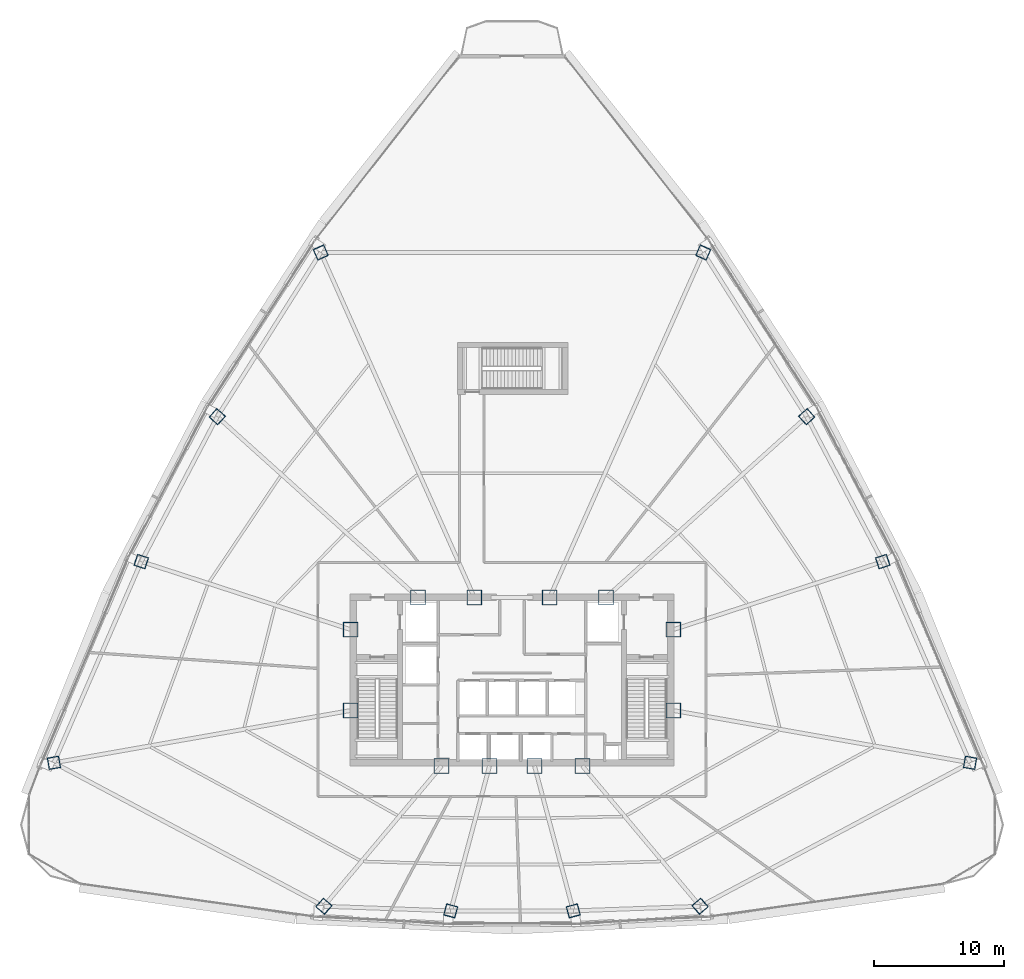
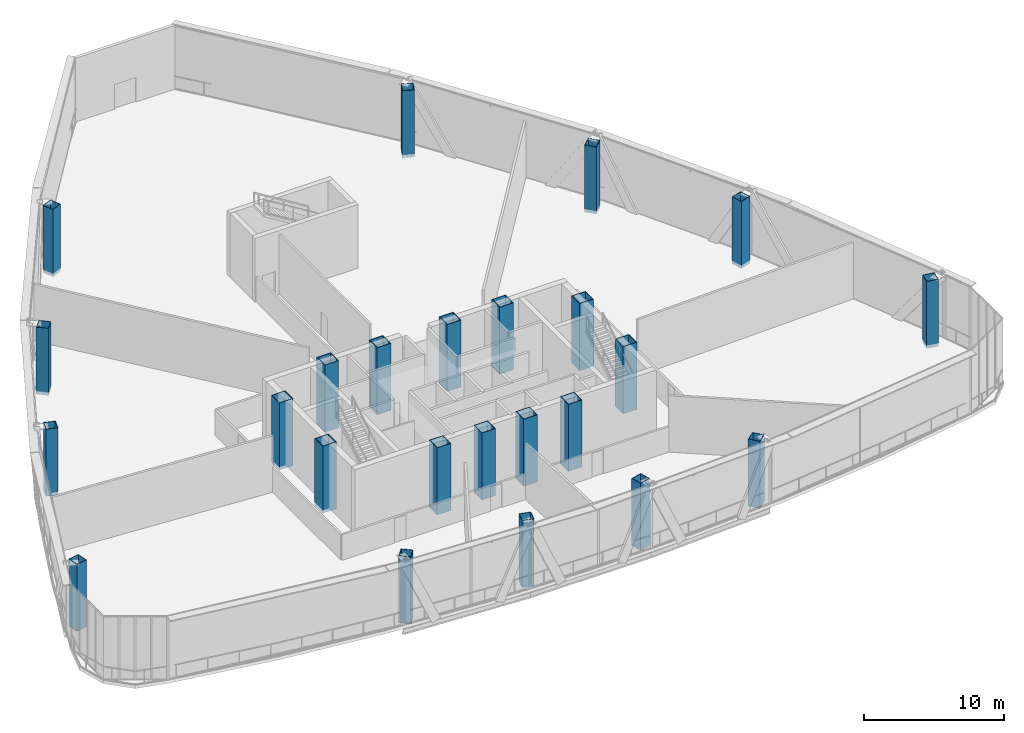
# One storey, part 1 of 38: 24 columns.
"""IFC4 building model written with IfcOpenShell, lengths in metres."""

from ifc_helpers import new_model, si_unit, direction, frame, origin, origin_2d, place, context, subcontext, project, spatial, hollow_rectangle, extrude, source, transform, mapped, material, material_profile, profile_set, type_object, element, save


model = new_model("IFC4")

# Units and contexts
model_context = context("Model", 3, precision=1e-05, world=origin(), true_north=direction((0.0, 1.0)))
body_context = subcontext(model_context, "Body", "Model", "MODEL_VIEW")
ifc_project = project(units=[si_unit("LENGTHUNIT", "METRE"), si_unit("AREAUNIT", "SQUARE_METRE"), si_unit("VOLUMEUNIT", "CUBIC_METRE"), si_unit("PLANEANGLEUNIT", "RADIAN"), si_unit("MASSUNIT", "GRAM", prefix="KILO"), si_unit("THERMODYNAMICTEMPERATUREUNIT", "KELVIN"), si_unit("POWERUNIT", "WATT")], contexts=[model_context])

# Site, building, storey
site_placement = place(None, origin())
site = spatial("IfcSite", under=ifc_project, at=site_placement, CompositionType="ELEMENT")
building_placement = place(site_placement, origin())
building = spatial("IfcBuilding", under=site, at=building_placement, Name="Yunzhuo Pagoda Commons", CompositionType="ELEMENT")
storey_placement = place(building_placement, frame((0.0, 0.0, 218.9599609375)))
storey = spatial("IfcBuildingStorey", under=building, at=storey_placement, Name="L55", CompositionType="ELEMENT", Elevation=218.9599609375)

# Columns
ifc_material = material(Name="Structural steel Q420B", Category="steel")
ifc_material_profile_1 = material_profile(ifc_material, hollow_rectangle(XDim=1.14990234375, YDim=1.14990234375, WallThickness=0.048095703125, at=origin_2d()), Name="Structural steel Q420B")
ifc_profile_set_1 = profile_set([ifc_material_profile_1], Name="Structural steel Q420B")
column_type_1 = type_object("IfcColumnType", Name="C-COR Column BOX 1150x1150x48", PredefinedType="COLUMN", material=ifc_profile_set_1)
shared_shape_1 = source(origin(), body_context, "Body", "SweptSolid", [
    extrude(hollow_rectangle(XDim=1.14990234375, YDim=1.14990234375, WallThickness=0.048095703125, at=origin_2d()), origin(), (0.0, 0.0, 1.0), 5.85009765625),
])
for number, where, z_axis, x_axis, name in (
    (1, (42.587890625, 27.25, -0.280029296875), (0.0, 0.0, 1.0), (1.0, 0.0, 0.0), "L55 core composite column F1C1"),
    (2, (46.27197265625, 27.25, -0.280029296875), (0.0, 0.0, 1.0), (1.0, 0.0, 0.0), "L55 core composite column F1C2"),
    (3, (49.728515625, 27.25, -0.280029296875), (0.0, 0.0, 1.0), (1.0, 0.0, 0.0), "L55 core composite column F1C3"),
    (4, (53.412109375, 27.25, -0.280029296875), (0.0, 0.0, 1.0), (1.0, 0.0, 0.0), "L55 core composite column F1C4"),
    (5, (60.39990234375, 31.513427734375, -0.280029296875), (0.0, 0.0, 1.0), (1.0, 0.0, 0.0), "L55 core composite column F2C1"),
    (6, (60.39990234375, 37.72900390625, -0.280029296875), (0.0, 0.0, 1.0), (1.0, 0.0, 0.0), "L55 core composite column F2C2"),
    (7, (55.218994140625, 40.199951171875, -0.280029296875), (0.0, 0.0, 1.0), (1.0, 0.0, 0.0), "L55 core composite column F2C3"),
    (8, (50.89404296875, 40.199951171875, -0.280029296875), (0.0, 0.0, 1.0), (1.0, 0.0, 0.0), "L55 core composite column F2C4"),
    (9, (45.10595703125, 40.199951171875, -0.280029296875), (0.0, 0.0, 1.0), (1.0, 0.0, 0.0), "L55 core composite column F3C1"),
    (10, (40.781005859375, 40.199951171875, -0.280029296875), (0.0, 0.0, 1.0), (1.0, 0.0, 0.0), "L55 core composite column F3C2"),
    (11, (35.60009765625, 37.72900390625, -0.280029296875), (0.0, 0.0, 1.0), (1.0, 0.0, 0.0), "L55 core composite column F3C3"),
    (12, (35.60009765625, 31.513427734375, -0.280029296875), (0.0, 0.0, 1.0), (1.0, 0.0, 0.0), "L55 core composite column F3C4"),
):
    element("IfcColumn", number, at=place(storey_placement, frame(where, z_axis=z_axis, x_axis=x_axis)), inside=storey, type_object=column_type_1, Name=name, PredefinedType="COLUMN", context=body_context, shape_type="MappedRepresentation", body=[
        mapped(shared_shape_1, transform((0.0, 0.0, 0.0), scale=1.0)),
    ])
ifc_material_profile_2 = material_profile(ifc_material, hollow_rectangle(XDim=0.89990234375, YDim=0.89990234375, WallThickness=0.035888671875, at=origin_2d()), Name="Structural steel Q420B")
ifc_profile_set_2 = profile_set([ifc_material_profile_2], Name="Structural steel Q420B")
column_type_2 = type_object("IfcColumnType", Name="C-Z4 Column BOX 900x900x36", PredefinedType="COLUMN", material=ifc_profile_set_2)
shared_shape_2 = source(origin(), body_context, "Body", "SweptSolid", [
    extrude(hollow_rectangle(XDim=0.89990234375, YDim=0.89990234375, WallThickness=0.035888671875, at=origin_2d()), origin(), (0.0, 0.0, 1.0), 5.85009765625),
])
for number, where, z_axis, x_axis, name in (
    (13, (33.538818359375, 16.4658203125, -0.280029296875), (0.0, 0.0, 1.0), (0.766044443119, -0.642787609687, 0.0), "L55 tower column F1C1"),
    (14, (43.28759765625, 16.1123046875, -0.280029296875), (0.0, 0.0, 1.0), (0.965925826289, -0.258819045103, 0.0), "L55 tower column F1C2"),
    (15, (52.712890625, 16.1123046875, -0.280029296875), (0.0, 0.0, 1.0), (0.965925826289, 0.258819045103, 0.0), "L55 tower column F1C3"),
    (16, (62.461181640625, 16.4658203125, -0.280029296875), (0.0, 0.0, 1.0), (0.766044443119, 0.642787609687, 0.0), "L55 tower column F1C4"),
    (17, (83.20654296875, 27.492431640625, -0.280029296875), (0.0, 0.0, 1.0), (0.173648177667, 0.984807753012, 0.0), "L55 tower column F2C1"),
    (18, (76.49462890625, 42.95849609375, -0.280029296875), (0.0, 0.0, 1.0), (-0.309016994375, 0.951056516295, 0.0), "L55 tower column F2C2"),
    (19, (70.650634765625, 54.0947265625, -0.280029296875), (0.0, 0.0, 1.0), (-0.669130606359, 0.743144825477, 0.0), "L55 tower column F2C3"),
    (20, (62.698974609375, 66.714599609375, -0.280029296875), (0.0, 0.0, 1.0), (-0.913545457643, 0.406736643076, 0.0), "L55 tower column F2C4"),
    (21, (33.301025390625, 66.714599609375, -0.280029296875), (0.0, 0.0, 1.0), (-0.913545457643, -0.406736643076, 0.0), "L55 tower column F3C1"),
    (22, (25.349365234375, 54.0947265625, -0.280029296875), (0.0, 0.0, 1.0), (-0.669130606359, -0.743144825477, 0.0), "L55 tower column F3C2"),
    (23, (19.50537109375, 42.95849609375, -0.280029296875), (0.0, 0.0, 1.0), (-0.309016994375, -0.951056516295, 0.0), "L55 tower column F3C3"),
    (24, (12.79345703125, 27.492431640625, -0.280029296875), (0.0, 0.0, 1.0), (0.173648177667, -0.984807753012, 0.0), "L55 tower column F3C4"),
):
    element("IfcColumn", number, at=place(storey_placement, frame(where, z_axis=z_axis, x_axis=x_axis)), inside=storey, type_object=column_type_2, Name=name, PredefinedType="COLUMN", context=body_context, shape_type="MappedRepresentation", body=[
        mapped(shared_shape_2, transform((0.0, 0.0, 0.0), scale=1.0)),
    ])

save(model, "model.ifc")
